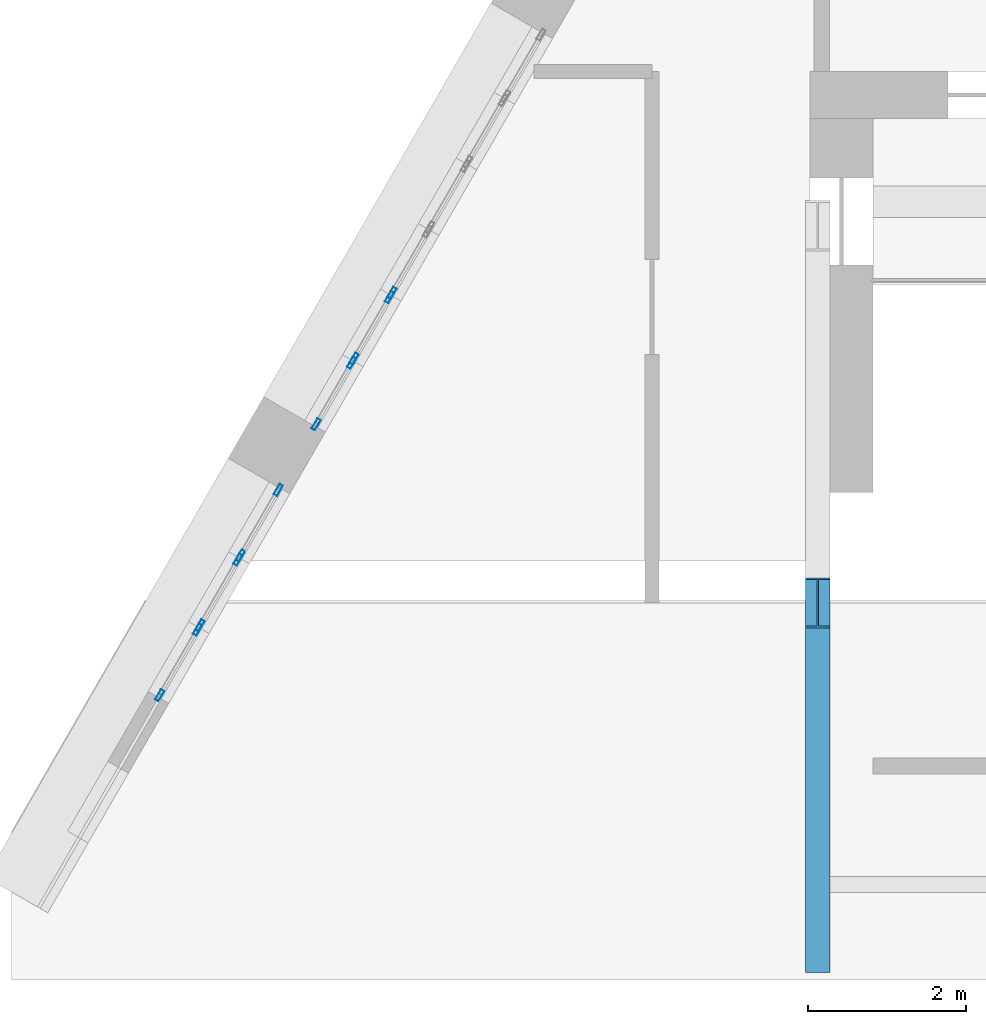
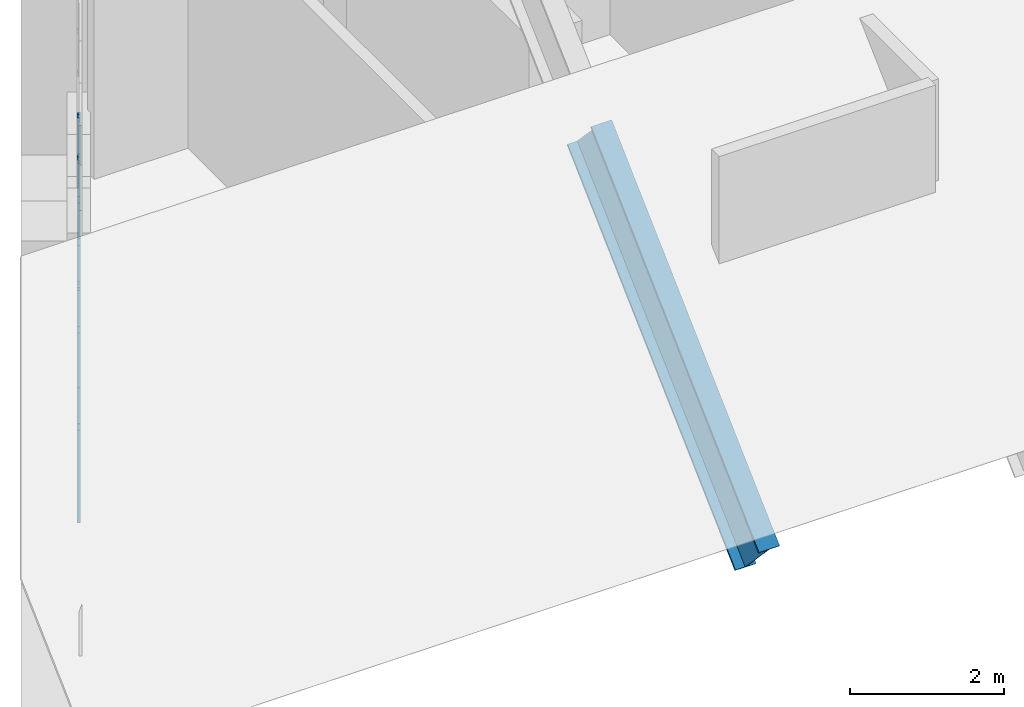
# One storey, part 2 of 16: 12 members, 6 elements without a shape of their own.
"""IFC4 building model written with IfcOpenShell, lengths in metres."""

from ifc_helpers import new_model, si_unit, direction, frame, origin, origin_2d, place, context, subcontext, project, spatial, hollow_rectangle, i_section, extrude, material, material_profile, profile_set, type_object, element, aggregate, save


model = new_model("IFC4")

# Units and contexts
model_context = context("Model", 3, precision=1e-05, world=origin(), true_north=direction((0.0, 1.0)))
body_context = subcontext(model_context, "Body", "Model", "MODEL_VIEW")
ifc_project = project(units=[si_unit("LENGTHUNIT", "METRE"), si_unit("AREAUNIT", "SQUARE_METRE"), si_unit("VOLUMEUNIT", "CUBIC_METRE"), si_unit("PLANEANGLEUNIT", "RADIAN"), si_unit("MASSUNIT", "GRAM", prefix="KILO")], contexts=[model_context])

# Site, building, storey
site_placement = place(None, origin())
site = spatial("IfcSite", under=ifc_project, at=site_placement, CompositionType="ELEMENT")
building_placement = place(site_placement, origin())
building = spatial("IfcBuilding", under=site, at=building_placement, Name="Ostrander Bayou Hotel Tower", CompositionType="ELEMENT")
storey_placement = place(building_placement, frame((0.0, 0.0, 288.5)))
storey = spatial("IfcBuildingStorey", under=building, at=storey_placement, Name="L71", CompositionType="ELEMENT", Elevation=288.5)

# Member
ifc_material_1 = material(Name="Steel ASTM A992", Category="steel")
ifc_material_profile_1 = material_profile(ifc_material_1, i_section(OverallWidth=0.307861328125, OverallDepth=0.9267578125, WebThickness=0.01953125, FlangeThickness=0.031982421875, at=origin_2d()))
ifc_profile_set_1 = profile_set([ifc_material_profile_1], Name="Steel ASTM A992")
member_type_1 = type_object("IfcMemberType", Name="CR1 crown rafter W36x194", PredefinedType="RAFTER", material=ifc_profile_set_1)
member_1_placement = place(storey_placement, frame((-8.39990234375, -1.39990234375, -0.59326171875), z_axis=(0.0, 0.727932313217, 0.685648997209), x_axis=(-1.0, 0.0, 0.0)))
element("IfcMember", 1, at=member_1_placement, inside=storey, type_object=member_type_1, Name="CR1 R1-5", PredefinedType="RAFTER", context=body_context, shape_type="SweptSolid", body=[
    extrude(i_section(OverallWidth=0.307861328125, OverallDepth=0.9267578125, WebThickness=0.01953125, FlangeThickness=0.031982421875, at=origin_2d()), origin(), (0.0, 0.0, 1.0), 5.9990234375),
])

# Curtain wall, member
ifc_material_2 = material(Name="Aluminium and clear glass", Category="aluminium")
curtain_wall_type = type_object("IfcCurtainWallType", Name="CW-CROWN glazed wall", PredefinedType="NOTDEFINED", material=ifc_material_2)
curtain_wall_1_placement = place(storey_placement, origin())
curtain_wall_1 = element("IfcCurtainWall", 2, at=curtain_wall_1_placement, inside=storey, type_object=curtain_wall_type, Name="CW-CROWN L71:NW-2-4", PredefinedType="NOTDEFINED")
ifc_material_3 = material(Name="Aluminium", Category="aluminium")
ifc_material_profile_2 = material_profile(ifc_material_3, hollow_rectangle(XDim=0.050048828125, YDim=0.14990234375, WallThickness=0.00390625, at=origin_2d()))
ifc_profile_set_2 = profile_set([ifc_material_profile_2], Name="Aluminium")
member_type_2 = type_object("IfcMemberType", Name="CW-CR mullion 50 x 150 mm", PredefinedType="MULLION", material=ifc_profile_set_2)
member_2_placement = place(storey_placement, frame((-13.796142578125, 6.8916015625, 1.0), z_axis=(0.0, 0.0, 1.0), x_axis=(0.866048535364, -0.499959932788, 0.0)))
member_2 = element("IfcMember", 3, at=member_2_placement, type_object=member_type_2, Name="CW-CROWN mullion 2", PredefinedType="MULLION", context=body_context, shape_type="SweptSolid", body=[
    extrude(hollow_rectangle(XDim=0.050048828125, YDim=0.14990234375, WallThickness=0.00390625, at=origin_2d()), origin(), (0.0, 0.0, 1.0), 2.300048828125),
])
aggregate(curtain_wall_1, [member_2])

# Curtain wall, members
curtain_wall_2_placement = place(storey_placement, origin())
curtain_wall_2 = element("IfcCurtainWall", 4, at=curtain_wall_2_placement, inside=storey, type_object=curtain_wall_type, Name="CW-CROWN L71:NW-2-5", PredefinedType="NOTDEFINED")
member_3_placement = place(storey_placement, frame((-13.826171875, 6.839599609375, 1.0), z_axis=(0.0, 0.0, 1.0), x_axis=(0.866022491007, -0.500005045044, 0.0)))
member_3 = element("IfcMember", 5, at=member_3_placement, type_object=member_type_2, Name="CW-CROWN mullion 1", PredefinedType="MULLION", context=body_context, shape_type="SweptSolid", body=[
    extrude(hollow_rectangle(XDim=0.050048828125, YDim=0.14990234375, WallThickness=0.00390625, at=origin_2d()), origin(), (0.0, 0.0, 1.0), 2.300048828125),
])
member_4_placement = place(storey_placement, frame((-14.27587890625, 6.060302734375, 1.0), z_axis=(0.0, 0.0, 1.0), x_axis=(0.866022491007, -0.500005045044, 0.0)))
member_4 = element("IfcMember", 6, at=member_4_placement, type_object=member_type_2, Name="CW-CROWN mullion 2", PredefinedType="MULLION", context=body_context, shape_type="SweptSolid", body=[
    extrude(hollow_rectangle(XDim=0.050048828125, YDim=0.14990234375, WallThickness=0.00390625, at=origin_2d()), origin(), (0.0, 0.0, 1.0), 2.300048828125),
])
aggregate(curtain_wall_2, [member_3, member_4])

curtain_wall_3_placement = place(storey_placement, origin())
curtain_wall_3 = element("IfcCurtainWall", 7, at=curtain_wall_3_placement, inside=storey, type_object=curtain_wall_type, Name="CW-CROWN L71:NW-2-6", PredefinedType="NOTDEFINED")
member_5_placement = place(storey_placement, frame((-14.305908203125, 6.00830078125, 1.0), z_axis=(0.0, 0.0, 1.0), x_axis=(0.866022491007, -0.500005045044, 0.0)))
member_5 = element("IfcMember", 8, at=member_5_placement, type_object=member_type_2, Name="CW-CROWN mullion 1", PredefinedType="MULLION", context=body_context, shape_type="SweptSolid", body=[
    extrude(hollow_rectangle(XDim=0.050048828125, YDim=0.14990234375, WallThickness=0.00390625, at=origin_2d()), origin(), (0.0, 0.0, 1.0), 2.300048828125),
])
member_6_placement = place(storey_placement, frame((-14.755859375, 5.22900390625, 1.0), z_axis=(0.0, 0.0, 1.0), x_axis=(0.866022491007, -0.500005045044, 0.0)))
member_6 = element("IfcMember", 9, at=member_6_placement, type_object=member_type_2, Name="CW-CROWN mullion 2", PredefinedType="MULLION", context=body_context, shape_type="SweptSolid", body=[
    extrude(hollow_rectangle(XDim=0.050048828125, YDim=0.14990234375, WallThickness=0.00390625, at=origin_2d()), origin(), (0.0, 0.0, 1.0), 2.300048828125),
])
aggregate(curtain_wall_3, [member_5, member_6])

curtain_wall_4_placement = place(storey_placement, origin())
curtain_wall_4 = element("IfcCurtainWall", 10, at=curtain_wall_4_placement, inside=storey, type_object=curtain_wall_type, Name="CW-CROWN L71:NW-3-1", PredefinedType="NOTDEFINED")
member_7_placement = place(storey_placement, frame((-15.23583984375, 4.397705078125, 1.0), z_axis=(0.0, 0.0, 1.0), x_axis=(0.866017682126, -0.500013374066, 0.0)))
member_7 = element("IfcMember", 11, at=member_7_placement, type_object=member_type_2, Name="CW-CROWN mullion 1", PredefinedType="MULLION", context=body_context, shape_type="SweptSolid", body=[
    extrude(hollow_rectangle(XDim=0.050048828125, YDim=0.14990234375, WallThickness=0.00390625, at=origin_2d()), origin(), (0.0, 0.0, 1.0), 2.300048828125),
])
member_8_placement = place(storey_placement, frame((-15.716796875, 3.56494140625, 1.0), z_axis=(0.0, 0.0, 1.0), x_axis=(0.866017682126, -0.500013374066, 0.0)))
member_8 = element("IfcMember", 12, at=member_8_placement, type_object=member_type_2, Name="CW-CROWN mullion 2", PredefinedType="MULLION", context=body_context, shape_type="SweptSolid", body=[
    extrude(hollow_rectangle(XDim=0.050048828125, YDim=0.14990234375, WallThickness=0.00390625, at=origin_2d()), origin(), (0.0, 0.0, 1.0), 2.300048828125),
])
aggregate(curtain_wall_4, [member_7, member_8])

curtain_wall_5_placement = place(storey_placement, origin())
curtain_wall_5 = element("IfcCurtainWall", 13, at=curtain_wall_5_placement, inside=storey, type_object=curtain_wall_type, Name="CW-CROWN L71:NW-3-2", PredefinedType="NOTDEFINED")
member_9_placement = place(storey_placement, frame((-15.74658203125, 3.512939453125, 1.0), z_axis=(0.0, 0.0, 1.0), x_axis=(0.866017682126, -0.500013374066, 0.0)))
member_9 = element("IfcMember", 14, at=member_9_placement, type_object=member_type_2, Name="CW-CROWN mullion 1", PredefinedType="MULLION", context=body_context, shape_type="SweptSolid", body=[
    extrude(hollow_rectangle(XDim=0.050048828125, YDim=0.14990234375, WallThickness=0.00390625, at=origin_2d()), origin(), (0.0, 0.0, 1.0), 2.300048828125),
])
member_10_placement = place(storey_placement, frame((-16.2275390625, 2.68017578125, 1.0), z_axis=(0.0, 0.0, 1.0), x_axis=(0.866017682126, -0.500013374066, 0.0)))
member_10 = element("IfcMember", 15, at=member_10_placement, type_object=member_type_2, Name="CW-CROWN mullion 2", PredefinedType="MULLION", context=body_context, shape_type="SweptSolid", body=[
    extrude(hollow_rectangle(XDim=0.050048828125, YDim=0.14990234375, WallThickness=0.00390625, at=origin_2d()), origin(), (0.0, 0.0, 1.0), 2.300048828125),
])
aggregate(curtain_wall_5, [member_9, member_10])

curtain_wall_6_placement = place(storey_placement, origin())
curtain_wall_6 = element("IfcCurtainWall", 16, at=curtain_wall_6_placement, inside=storey, type_object=curtain_wall_type, Name="CW-CROWN L71:NW-3-3", PredefinedType="NOTDEFINED")
member_11_placement = place(storey_placement, frame((-16.257568359375, 2.62841796875, 1.0), z_axis=(0.0, 0.0, 1.0), x_axis=(0.866060068715, -0.499939953771, 0.0)))
member_11 = element("IfcMember", 17, at=member_11_placement, type_object=member_type_2, Name="CW-CROWN mullion 1", PredefinedType="MULLION", context=body_context, shape_type="SweptSolid", body=[
    extrude(hollow_rectangle(XDim=0.050048828125, YDim=0.14990234375, WallThickness=0.00390625, at=origin_2d()), origin(), (0.0, 0.0, 1.0), 1.47216796875),
])
member_12_placement = place(storey_placement, frame((-16.73828125, 1.795654296875, 1.0), z_axis=(0.0, 0.0, 1.0), x_axis=(0.866060068715, -0.499939953771, 0.0)))
member_12 = element("IfcMember", 18, at=member_12_placement, type_object=member_type_2, Name="CW-CROWN mullion 2", PredefinedType="MULLION", context=body_context, shape_type="SweptSolid", body=[
    extrude(hollow_rectangle(XDim=0.050048828125, YDim=0.14990234375, WallThickness=0.00390625, at=origin_2d()), origin(), (0.0, 0.0, 1.0), 1.47216796875),
])
aggregate(curtain_wall_6, [member_11, member_12])

save(model, "model.ifc")
